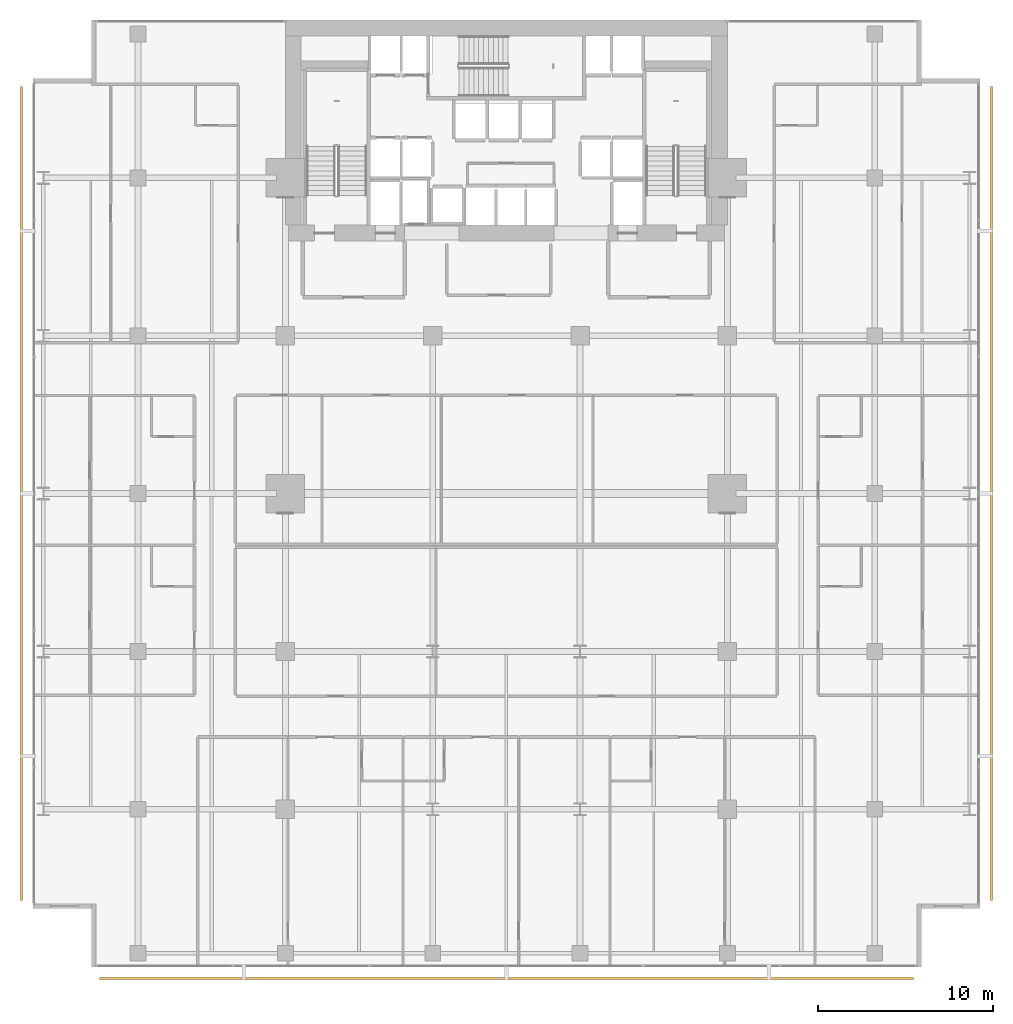
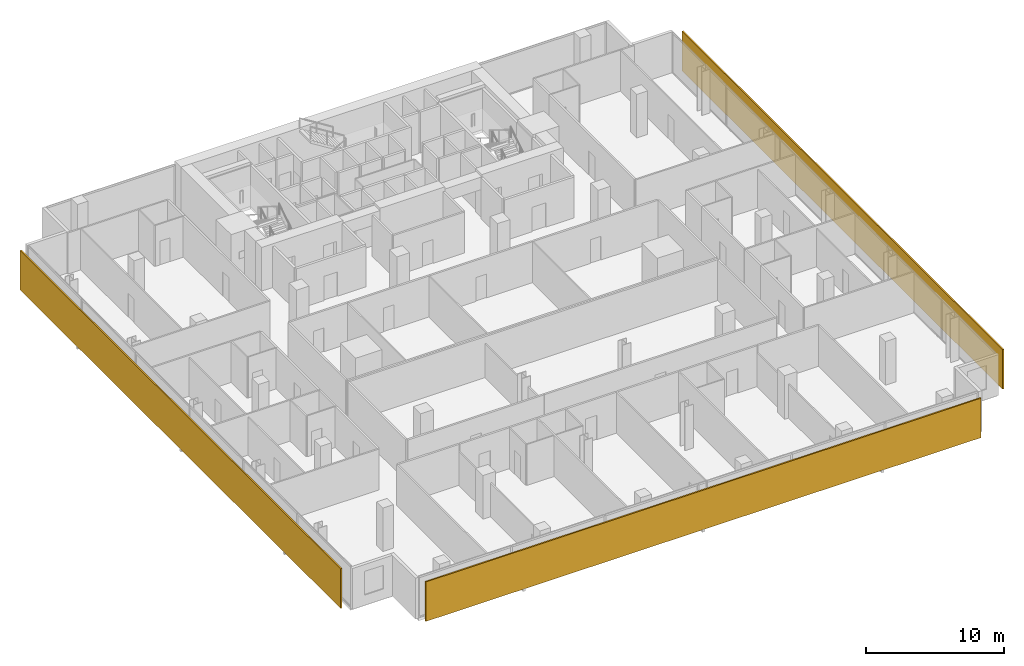
# One storey, part 38 of 39: 3 shading devices.
"""IFC4 building model written with IfcOpenShell, lengths in metres."""

from ifc_helpers import new_model, si_unit, direction, frame, origin, origin_2d, place, context, subcontext, project, spatial, rectangle, extrude, material, layer, layer_set, type_object, element, save


model = new_model("IFC4")

# Units and contexts
model_context = context("Model", 3, precision=1e-05, world=origin(), true_north=direction((0.0, 1.0)))
body_context = subcontext(model_context, "Body", "Model", "MODEL_VIEW")
ifc_project = project(units=[si_unit("LENGTHUNIT", "METRE"), si_unit("AREAUNIT", "SQUARE_METRE"), si_unit("VOLUMEUNIT", "CUBIC_METRE"), si_unit("PLANEANGLEUNIT", "RADIAN"), si_unit("MASSUNIT", "GRAM", prefix="KILO")], contexts=[model_context])

# Site, building, storey
site_placement = place(None, origin())
site = spatial("IfcSite", under=ifc_project, at=site_placement, CompositionType="ELEMENT")
building_placement = place(site_placement, origin())
building = spatial("IfcBuilding", under=site, at=building_placement, Name="Maruvema Waterfront Hotel and Observation Tower", CompositionType="ELEMENT")
storey_placement = place(building_placement, frame((0.0, 0.0, 65.449951171875)))
storey = spatial("IfcBuildingStorey", under=building, at=storey_placement, Name="L15", CompositionType="ELEMENT", Elevation=65.449951171875)

# Shading devices
ifc_material = material(Name="Honed travertine stone and anodised architectural bronze", Category="masonry")
ifc_layer = layer(ifc_material, 0.1201171875, Name="Ventilated Outer Skin Cobogo Stone-and-Bronze Screen 120 mm")
ifc_layer_set = layer_set([ifc_layer], Name="Honed travertine stone and anodised architectural bronze")
shading_device_type = type_object("IfcShadingDeviceType", Name="Ventilated Outer Skin Cobogo Stone-and-Bronze Screen 120 mm", PredefinedType="USERDEFINED", material=ifc_layer_set)
for number, where, z_axis, x_axis, name in (
    (1, (37.800048828125, -0.64990234375, 0.06005859375), (0.0, 0.0, 1.0), (1.0, 0.0, 0.0), "L15 Ventilated Double-Skin Outer Cobogo Screen OS-L15-S"),
    (2, (65.449951171875, 27.0, 0.06005859375), (0.0, 0.0, 1.0), (0.0, 1.0, 0.0), "L15 Ventilated Double-Skin Outer Cobogo Screen OS-L15-E"),
    (3, (10.14990234375, 27.0, 0.06005859375), (0.0, 0.0, 1.0), (0.0, -1.0, 0.0), "L15 Ventilated Double-Skin Outer Cobogo Screen OS-L15-W"),
):
    element("IfcShadingDevice", number, at=place(storey_placement, frame(where, z_axis=z_axis, x_axis=x_axis)), inside=storey, type_object=shading_device_type, Name=name, ObjectType="OUTER SKIN SCREEN", PredefinedType="USERDEFINED", context=body_context, shape_type="SweptSolid", body=[
        extrude(rectangle(XDim=46.39990234375, YDim=0.1201171875, at=origin_2d()), origin(), (0.0, 0.0, 1.0), 3.489990234375),
    ])

save(model, "model.ifc")
